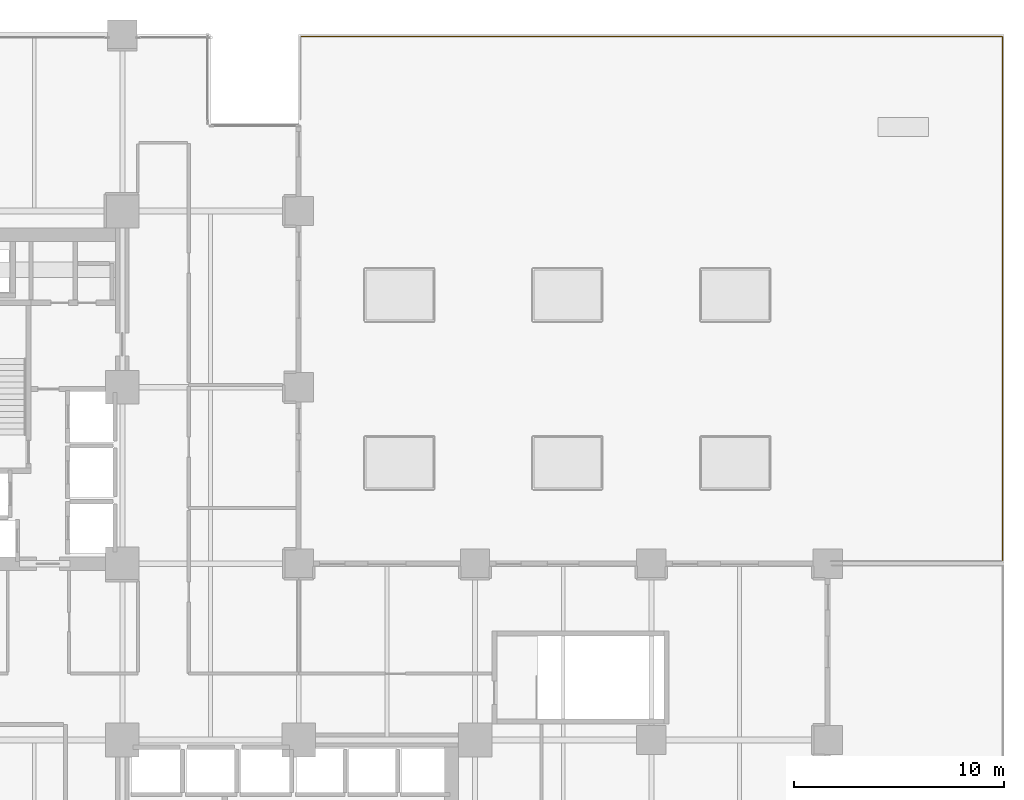
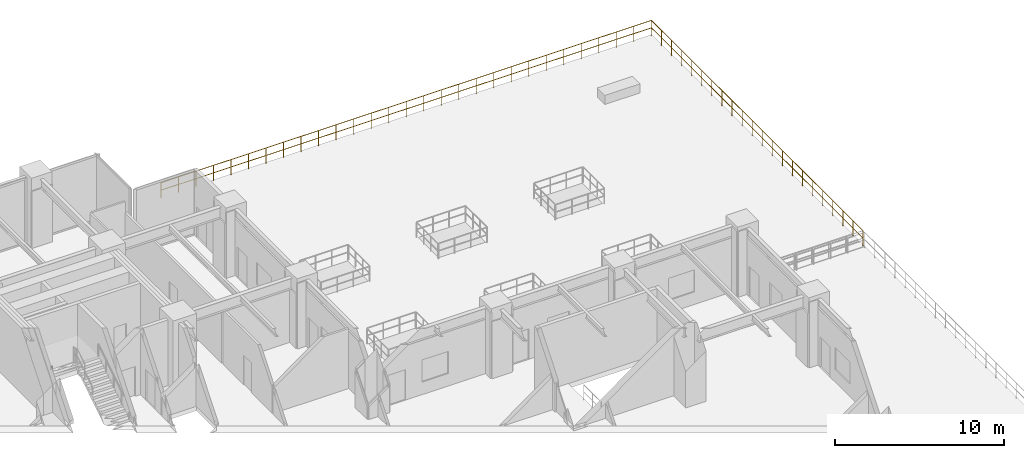
# One storey, part 21 of 21: 2 railings.
"""IFC4 building model written with IfcOpenShell, lengths in metres."""

from ifc_helpers import new_model, si_unit, direction, frame, origin, origin_2d, place, context, subcontext, project, spatial, circle, extrude, material, type_object, element, save


model = new_model("IFC4")

# Units and contexts
model_context = context("Model", 3, precision=1e-05, world=origin(), true_north=direction((0.0, 1.0)))
body_context = subcontext(model_context, "Body", "Model", "MODEL_VIEW")
ifc_project = project(units=[si_unit("LENGTHUNIT", "METRE"), si_unit("AREAUNIT", "SQUARE_METRE"), si_unit("VOLUMEUNIT", "CUBIC_METRE"), si_unit("PLANEANGLEUNIT", "RADIAN"), si_unit("MASSUNIT", "GRAM", prefix="KILO")], contexts=[model_context])

# Site, building, storey
site_placement = place(None, origin())
site = spatial("IfcSite", under=ifc_project, at=site_placement, CompositionType="ELEMENT")
building_placement = place(site_placement, origin())
building = spatial("IfcBuilding", under=site, at=building_placement, Name="Nerrivon Quay Data Exchange", CompositionType="ELEMENT")
storey_placement = place(building_placement, frame((0.0, 0.0, 19.800048828125)))
storey = spatial("IfcBuildingStorey", under=building, at=storey_placement, Name="L04", CompositionType="ELEMENT", Elevation=19.800048828125)

# Railings
ifc_material = material(Name="Steel Grade C350L0 (350 MPa)", Category="steel")
railing_type = type_object("IfcRailingType", Name="RAIL-GUARD-GR2", PredefinedType="BALUSTRADE", material=ifc_material)
railing_1_placement = place(storey_placement, frame((25.280029296875, 50.320068359375, 0.0)))
element("IfcRailing", 1, at=railing_1_placement, inside=storey, type_object=railing_type, Name="L04 Terrace Perimeter Guard 1.2 1", PredefinedType="BALUSTRADE", context=body_context, shape_type="SweptSolid", body=[
    extrude(circle(Radius=0.02392578125, at=origin_2d()), frame((0.0, 0.0, 1.09619140625), z_axis=(1.0, 0.0, 0.0), x_axis=(0.0, 1.0, 0.0)), (0.0, 0.0, 1.0), 33.43994140625),
    extrude(circle(Radius=0.02392578125, at=origin_2d()), frame((0.0, 0.0, 0.56005859375), z_axis=(1.0, 0.0, 0.0), x_axis=(0.0, 1.0, 0.0)), (0.0, 0.0, 1.0), 33.43994140625),
    extrude(circle(Radius=0.02099609375, at=origin_2d()), origin(), (0.0, 0.0, 1.0), 1.072021484375),
    extrude(circle(Radius=0.02099609375, at=origin_2d()), frame((1.1943359375, 0.0, 0.0)), (0.0, 0.0, 1.0), 1.072021484375),
    extrude(circle(Radius=0.02099609375, at=origin_2d()), frame((2.388671875, 0.0, 0.0)), (0.0, 0.0, 1.0), 1.072021484375),
    extrude(circle(Radius=0.02099609375, at=origin_2d()), frame((3.582763671875, 0.0, 0.0)), (0.0, 0.0, 1.0), 1.072021484375),
    extrude(circle(Radius=0.02099609375, at=origin_2d()), frame((4.777099609375, 0.0, 0.0)), (0.0, 0.0, 1.0), 1.072021484375),
    extrude(circle(Radius=0.02099609375, at=origin_2d()), frame((5.971435546875, 0.0, 0.0)), (0.0, 0.0, 1.0), 1.072021484375),
    extrude(circle(Radius=0.02099609375, at=origin_2d()), frame((7.165771484375, 0.0, 0.0)), (0.0, 0.0, 1.0), 1.072021484375),
    extrude(circle(Radius=0.02099609375, at=origin_2d()), frame((8.35986328125, 0.0, 0.0)), (0.0, 0.0, 1.0), 1.072021484375),
    extrude(circle(Radius=0.02099609375, at=origin_2d()), frame((9.55419921875, 0.0, 0.0)), (0.0, 0.0, 1.0), 1.072021484375),
    extrude(circle(Radius=0.02099609375, at=origin_2d()), frame((10.74853515625, 0.0, 0.0)), (0.0, 0.0, 1.0), 1.072021484375),
    extrude(circle(Radius=0.02099609375, at=origin_2d()), frame((11.94287109375, 0.0, 0.0)), (0.0, 0.0, 1.0), 1.072021484375),
    extrude(circle(Radius=0.02099609375, at=origin_2d()), frame((13.13720703125, 0.0, 0.0)), (0.0, 0.0, 1.0), 1.072021484375),
    extrude(circle(Radius=0.02099609375, at=origin_2d()), frame((14.331298828125, 0.0, 0.0)), (0.0, 0.0, 1.0), 1.072021484375),
    extrude(circle(Radius=0.02099609375, at=origin_2d()), frame((15.525634765625, 0.0, 0.0)), (0.0, 0.0, 1.0), 1.072021484375),
    extrude(circle(Radius=0.02099609375, at=origin_2d()), frame((16.719970703125, 0.0, 0.0)), (0.0, 0.0, 1.0), 1.072021484375),
    extrude(circle(Radius=0.02099609375, at=origin_2d()), frame((17.914306640625, 0.0, 0.0)), (0.0, 0.0, 1.0), 1.072021484375),
    extrude(circle(Radius=0.02099609375, at=origin_2d()), frame((19.108642578125, 0.0, 0.0)), (0.0, 0.0, 1.0), 1.072021484375),
    extrude(circle(Radius=0.02099609375, at=origin_2d()), frame((20.302734375, 0.0, 0.0)), (0.0, 0.0, 1.0), 1.072021484375),
    extrude(circle(Radius=0.02099609375, at=origin_2d()), frame((21.4970703125, 0.0, 0.0)), (0.0, 0.0, 1.0), 1.072021484375),
    extrude(circle(Radius=0.02099609375, at=origin_2d()), frame((22.69140625, 0.0, 0.0)), (0.0, 0.0, 1.0), 1.072021484375),
    extrude(circle(Radius=0.02099609375, at=origin_2d()), frame((23.8857421875, 0.0, 0.0)), (0.0, 0.0, 1.0), 1.072021484375),
    extrude(circle(Radius=0.02099609375, at=origin_2d()), frame((25.080078125, 0.0, 0.0)), (0.0, 0.0, 1.0), 1.072021484375),
    extrude(circle(Radius=0.02099609375, at=origin_2d()), frame((26.274169921875, 0.0, 0.0)), (0.0, 0.0, 1.0), 1.072021484375),
    extrude(circle(Radius=0.02099609375, at=origin_2d()), frame((27.468505859375, 0.0, 0.0)), (0.0, 0.0, 1.0), 1.072021484375),
    extrude(circle(Radius=0.02099609375, at=origin_2d()), frame((28.662841796875, 0.0, 0.0)), (0.0, 0.0, 1.0), 1.072021484375),
    extrude(circle(Radius=0.02099609375, at=origin_2d()), frame((29.857177734375, 0.0, 0.0)), (0.0, 0.0, 1.0), 1.072021484375),
    extrude(circle(Radius=0.02099609375, at=origin_2d()), frame((31.05126953125, 0.0, 0.0)), (0.0, 0.0, 1.0), 1.072021484375),
    extrude(circle(Radius=0.02099609375, at=origin_2d()), frame((32.24560546875, 0.0, 0.0)), (0.0, 0.0, 1.0), 1.072021484375),
    extrude(circle(Radius=0.02099609375, at=origin_2d()), frame((33.43994140625, 0.0, 0.0)), (0.0, 0.0, 1.0), 1.072021484375),
])
railing_2_placement = place(storey_placement, frame((58.719970703125, 50.320068359375, 0.0)))
element("IfcRailing", 2, at=railing_2_placement, inside=storey, type_object=railing_type, Name="L04 Terrace Perimeter Guard 1.3 1", PredefinedType="BALUSTRADE", context=body_context, shape_type="SweptSolid", body=[
    extrude(circle(Radius=0.02392578125, at=origin_2d()), frame((0.0, 0.0, 1.09619140625), z_axis=(0.0, -1.0, 0.0), x_axis=(1.0, 0.0, 0.0)), (0.0, 0.0, 1.0), 25.0),
    extrude(circle(Radius=0.02392578125, at=origin_2d()), frame((0.0, 0.0, 0.56005859375), z_axis=(0.0, -1.0, 0.0), x_axis=(1.0, 0.0, 0.0)), (0.0, 0.0, 1.0), 25.0),
    extrude(circle(Radius=0.02099609375, at=origin_2d()), origin(), (0.0, 0.0, 1.0), 1.072021484375),
    extrude(circle(Radius=0.02099609375, at=origin_2d()), frame((0.0, -1.1904296875, 0.0)), (0.0, 0.0, 1.0), 1.072021484375),
    extrude(circle(Radius=0.02099609375, at=origin_2d()), frame((0.0, -2.380859375, 0.0)), (0.0, 0.0, 1.0), 1.072021484375),
    extrude(circle(Radius=0.02099609375, at=origin_2d()), frame((0.0, -3.571533203125, 0.0)), (0.0, 0.0, 1.0), 1.072021484375),
    extrude(circle(Radius=0.02099609375, at=origin_2d()), frame((0.0, -4.761962890625, 0.0)), (0.0, 0.0, 1.0), 1.072021484375),
    extrude(circle(Radius=0.02099609375, at=origin_2d()), frame((0.0, -5.952392578125, 0.0)), (0.0, 0.0, 1.0), 1.072021484375),
    extrude(circle(Radius=0.02099609375, at=origin_2d()), frame((0.0, -7.142822265625, 0.0)), (0.0, 0.0, 1.0), 1.072021484375),
    extrude(circle(Radius=0.02099609375, at=origin_2d()), frame((0.0, -8.333251953125, 0.0)), (0.0, 0.0, 1.0), 1.072021484375),
    extrude(circle(Radius=0.02099609375, at=origin_2d()), frame((0.0, -9.52392578125, 0.0)), (0.0, 0.0, 1.0), 1.072021484375),
    extrude(circle(Radius=0.02099609375, at=origin_2d()), frame((0.0, -10.71435546875, 0.0)), (0.0, 0.0, 1.0), 1.072021484375),
    extrude(circle(Radius=0.02099609375, at=origin_2d()), frame((0.0, -11.90478515625, 0.0)), (0.0, 0.0, 1.0), 1.072021484375),
    extrude(circle(Radius=0.02099609375, at=origin_2d()), frame((0.0, -13.09521484375, 0.0)), (0.0, 0.0, 1.0), 1.072021484375),
    extrude(circle(Radius=0.02099609375, at=origin_2d()), frame((0.0, -14.28564453125, 0.0)), (0.0, 0.0, 1.0), 1.072021484375),
    extrude(circle(Radius=0.02099609375, at=origin_2d()), frame((0.0, -15.47607421875, 0.0)), (0.0, 0.0, 1.0), 1.072021484375),
    extrude(circle(Radius=0.02099609375, at=origin_2d()), frame((0.0, -16.666748046875, 0.0)), (0.0, 0.0, 1.0), 1.072021484375),
    extrude(circle(Radius=0.02099609375, at=origin_2d()), frame((0.0, -17.857177734375, 0.0)), (0.0, 0.0, 1.0), 1.072021484375),
    extrude(circle(Radius=0.02099609375, at=origin_2d()), frame((0.0, -19.047607421875, 0.0)), (0.0, 0.0, 1.0), 1.072021484375),
    extrude(circle(Radius=0.02099609375, at=origin_2d()), frame((0.0, -20.238037109375, 0.0)), (0.0, 0.0, 1.0), 1.072021484375),
    extrude(circle(Radius=0.02099609375, at=origin_2d()), frame((0.0, -21.428466796875, 0.0)), (0.0, 0.0, 1.0), 1.072021484375),
    extrude(circle(Radius=0.02099609375, at=origin_2d()), frame((0.0, -22.619140625, 0.0)), (0.0, 0.0, 1.0), 1.072021484375),
    extrude(circle(Radius=0.02099609375, at=origin_2d()), frame((0.0, -23.8095703125, 0.0)), (0.0, 0.0, 1.0), 1.072021484375),
    extrude(circle(Radius=0.02099609375, at=origin_2d()), frame((0.0, -25.0, 0.0)), (0.0, 0.0, 1.0), 1.072021484375),
])

save(model, "model.ifc")
